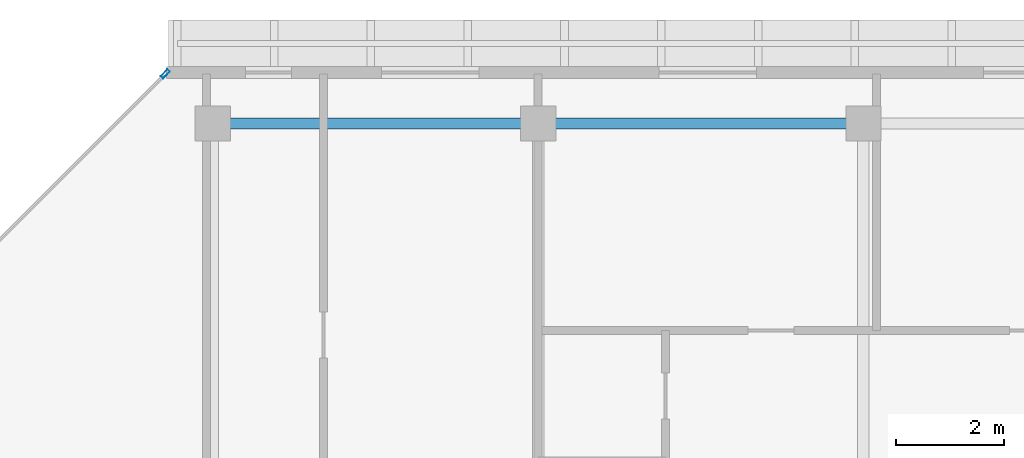
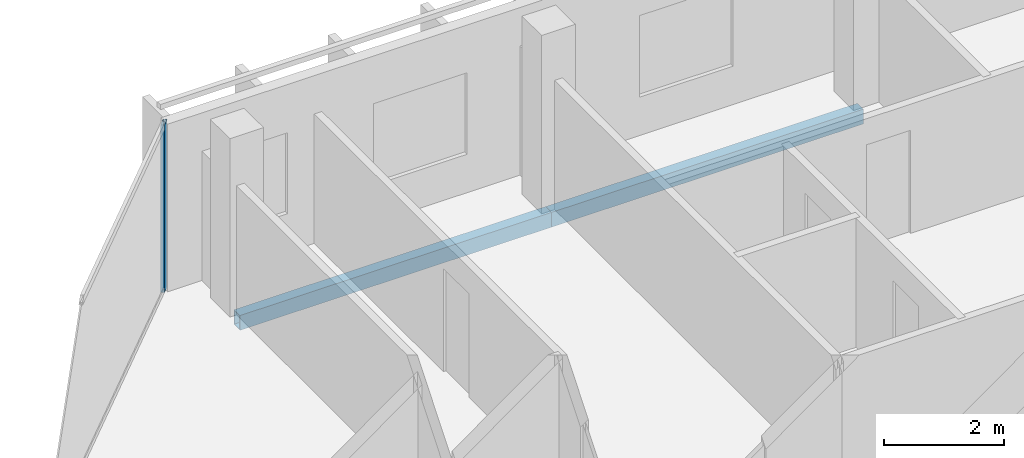
# One storey, part 14 of 28: 2 beams, 1 member, 1 element without a shape of its own.
"""IFC4 building model written with IfcOpenShell, lengths in metres."""

from ifc_helpers import new_model, si_unit, direction, frame, origin, origin_2d, place, context, subcontext, project, spatial, hollow_rectangle, extrude, material, layer, layer_set, material_profile, profile_set, type_object, element, aggregate, save


model = new_model("IFC4")

# Units and contexts
model_context = context("Model", 3, precision=1e-05, world=origin(), true_north=direction((0.0, 1.0)))
body_context = subcontext(model_context, "Body", "Model", "MODEL_VIEW")
ifc_project = project(units=[si_unit("LENGTHUNIT", "METRE"), si_unit("AREAUNIT", "SQUARE_METRE"), si_unit("VOLUMEUNIT", "CUBIC_METRE"), si_unit("PLANEANGLEUNIT", "RADIAN"), si_unit("MASSUNIT", "GRAM", prefix="KILO")], contexts=[model_context])

# Site, building, storey
site_placement = place(None, origin())
site = spatial("IfcSite", under=ifc_project, at=site_placement, CompositionType="ELEMENT")
building_placement = place(site_placement, origin())
building = spatial("IfcBuilding", under=site, at=building_placement, Name="Tanjung Sevakor Pilgrim Tower", CompositionType="ELEMENT")
storey_placement = place(building_placement, frame((0.0, 0.0, 242.550048828125)))
storey = spatial("IfcBuildingStorey", under=building, at=storey_placement, Name="L68", CompositionType="ELEMENT", Elevation=242.550048828125)

# Beams
ifc_material_1 = material(Name="Steel S355J2", Category="steel")
ifc_material_profile_1 = material_profile(ifc_material_1, hollow_rectangle(XDim=0.199951171875, YDim=0.300048828125, WallThickness=0.012451171875, at=origin_2d()))
ifc_profile_set_1 = profile_set([ifc_material_profile_1], Name="Steel S355J2")
beam_type = type_object("IfcBeamType", Name="BM-B-SP3-RHS_300x200x12.5", PredefinedType="SPANDREL", material=ifc_profile_set_1)
for number, where, z_axis, x_axis, name in (
    (1, (72.0, 53.949951171875, -0.3701171875), (1.0, 0.0, 0.0), (0.0, 1.0, 0.0), "L68 Spandrel EAST N-02"),
    (2, (78.0, 53.949951171875, -0.3701171875), (1.0, 0.0, 0.0), (0.0, 1.0, 0.0), "L68 Spandrel EAST N-04"),
):
    element("IfcBeam", number, at=place(storey_placement, frame(where, z_axis=z_axis, x_axis=x_axis)), inside=storey, type_object=beam_type, Name=name, PredefinedType="SPANDREL", context=body_context, shape_type="SweptSolid", body=[
        extrude(hollow_rectangle(XDim=0.199951171875, YDim=0.300048828125, WallThickness=0.012451171875, at=origin_2d()), origin(), (0.0, 0.0, 1.0), 6.0),
    ])

# Curtain wall, member
ifc_material_2 = material(Name="Aluminium 6063-T6 and Low-E Glass", Category="aluminium")
ifc_layer = layer(ifc_material_2, 0.179931640625)
ifc_layer_set = layer_set([ifc_layer], Name="CW-SYS-CHAM")
curtain_wall_type = type_object("IfcCurtainWallType", Name="CW-SYS-CHAM", PredefinedType="NOTDEFINED", material=ifc_layer_set)
curtain_wall_placement = place(storey_placement, origin())
curtain_wall = element("IfcCurtainWall", 3, at=curtain_wall_placement, inside=storey, type_object=curtain_wall_type, Name="L68 Curtain Wall CW-CHM-L68-EAST-5", PredefinedType="NOTDEFINED")
ifc_material_3 = material(Name="Aluminium 6063-T6", Category="aluminium")
ifc_material_profile_2 = material_profile(ifc_material_3, hollow_rectangle(XDim=0.06494140625, YDim=0.179931640625, WallThickness=0.00390625, at=origin_2d()))
ifc_profile_set_2 = profile_set([ifc_material_profile_2], Name="Aluminium 6063-T6")
member_type = type_object("IfcMemberType", Name="TYPE-CWM-1", PredefinedType="MULLION", material=ifc_profile_set_2)
member_placement = place(storey_placement, frame((71.12255859375, 54.866943359375, 0.0), z_axis=(0.0, 0.0, 1.0), x_axis=(0.707106781187, -0.707106781187, 0.0)))
member = element("IfcMember", 4, at=member_placement, type_object=member_type, Name="CW-CHM mullion 1", PredefinedType="MULLION", context=body_context, shape_type="SweptSolid", body=[
    extrude(hollow_rectangle(XDim=0.06494140625, YDim=0.179931640625, WallThickness=0.00390625, at=origin_2d()), origin(), (0.0, 0.0, 1.0), 3.409912109375),
])
aggregate(curtain_wall, [member])

save(model, "model.ifc")
